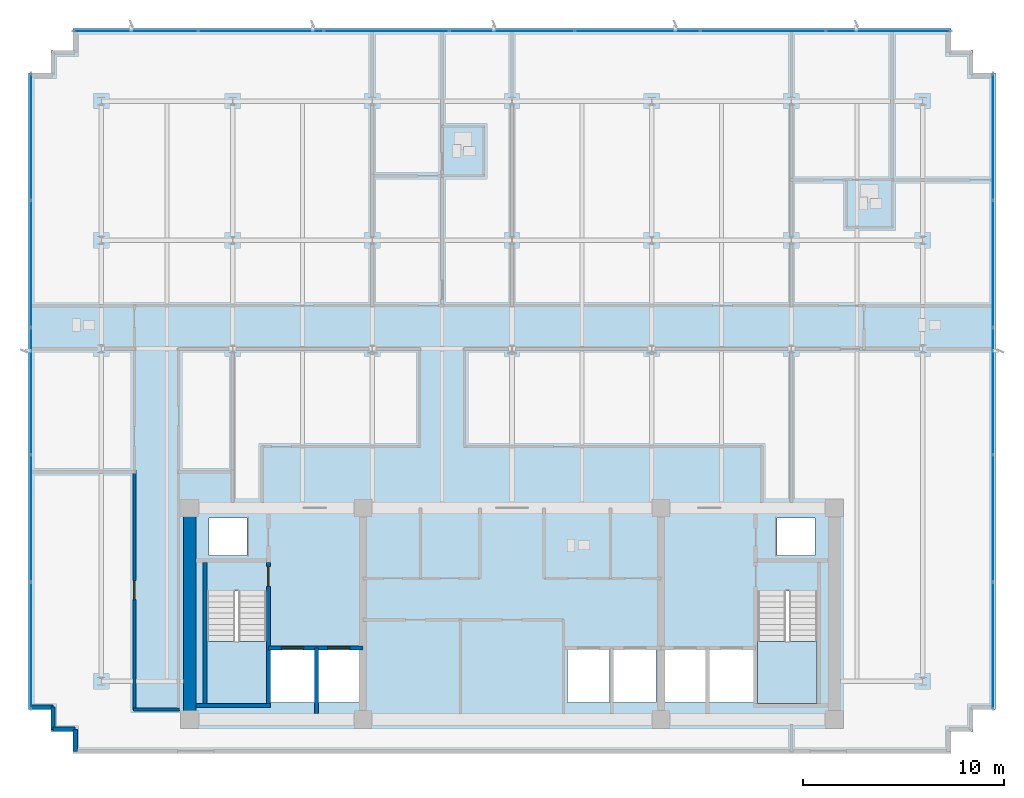
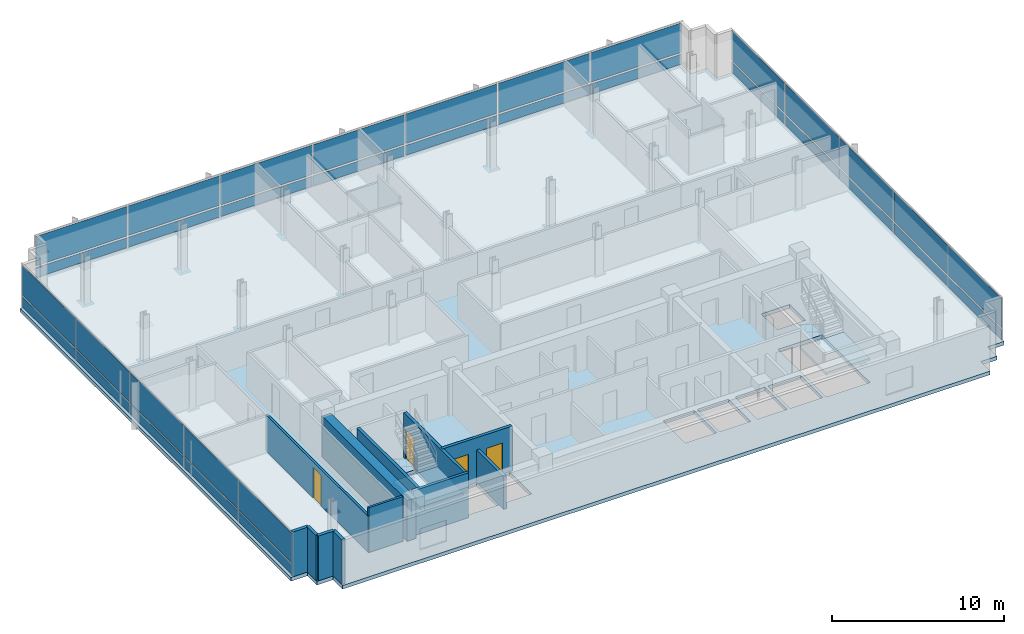
# One storey, part 9 of 18: 34 plates, 12 walls, 4 doors, 3 slabs, 4 openings, 5 elements without a shape of their own.
"""IFC4 building model written with IfcOpenShell, lengths in metres."""

from ifc_helpers import new_model, si_unit, direction, frame, frame_2d, origin, origin_2d, place, context, subcontext, project, spatial, polyline, rectangle, outline, extrude, material, layer, layer_set, type_object, element, fill, aggregate, save


model = new_model("IFC4")

# Units and contexts
model_context = context("Model", 3, precision=1e-05, world=origin(), true_north=direction((0.0, 1.0)))
body_context = subcontext(model_context, "Body", "Model", "MODEL_VIEW")
ifc_project = project(units=[si_unit("LENGTHUNIT", "METRE"), si_unit("AREAUNIT", "SQUARE_METRE"), si_unit("VOLUMEUNIT", "CUBIC_METRE"), si_unit("PLANEANGLEUNIT", "RADIAN"), si_unit("MASSUNIT", "GRAM", prefix="KILO")], contexts=[model_context])

# Site, building, storey
site_placement = place(None, origin())
site = spatial("IfcSite", under=ifc_project, at=site_placement, CompositionType="ELEMENT")
building_placement = place(site_placement, origin())
building = spatial("IfcBuilding", under=site, at=building_placement, Name="Solmavex Isthmus Hotel", CompositionType="ELEMENT")
storey_placement = place(building_placement, frame((0.0, 0.0, 283.35009765625)))
storey = spatial("IfcBuildingStorey", under=building, at=storey_placement, Name="L77", CompositionType="ELEMENT", Elevation=283.35009765625)

# Curtain wall, plates
ifc_material_1 = material(Name="Aluminium alloy 6063-T6", Category="aluminium")
curtain_wall_type = type_object("IfcCurtainWallType", Name="CW-SYS-05", PredefinedType="NOTDEFINED", material=ifc_material_1)
curtain_wall_1_placement = place(storey_placement, origin())
curtain_wall_1 = element("IfcCurtainWall", 1, at=curtain_wall_1_placement, inside=storey, type_object=curtain_wall_type, Name="Stick Curtain Wall CWL-L77-N1", PredefinedType="NOTDEFINED")
ifc_material_2 = material(Name="Clear low-E laminated glass", Category="glass")
ifc_layer_1 = layer(ifc_material_2, 0.0380859375)
ifc_layer_set_1 = layer_set([ifc_layer_1], Name="Clear low-E laminated glass")
plate_type = type_object("IfcPlateType", Name="CW-SYS-05-PNL", PredefinedType="CURTAIN_PANEL", material=ifc_layer_set_1)
plate_1_placement = place(storey_placement, frame((-18.66943359375, 21.179931640625, 0.125), z_axis=(0.0, 0.0, 1.0), x_axis=(1.0, 0.0, 0.0)))
plate_1 = element("IfcPlate", 2, at=plate_1_placement, type_object=plate_type, Name="CW-05 panel 1.1", PredefinedType="CURTAIN_PANEL", context=body_context, shape_type="SweptSolid", body=[
    extrude(rectangle(XDim=6.131103515625, YDim=0.0380859375, at=origin_2d()), origin(), (0.0, 0.0, 1.0), 0.71240234375),
])
plate_2_placement = place(storey_placement, frame((-18.66943359375, 21.179931640625, 0.96240234375), z_axis=(0.0, 0.0, 1.0), x_axis=(1.0, 0.0, 0.0)))
plate_2 = element("IfcPlate", 3, at=plate_2_placement, type_object=plate_type, Name="CW-05 panel 1.2", PredefinedType="CURTAIN_PANEL", context=body_context, shape_type="SweptSolid", body=[
    extrude(rectangle(XDim=6.131103515625, YDim=0.0380859375, at=origin_2d()), origin(), (0.0, 0.0, 1.0), 2.1025390625),
])
plate_3_placement = place(storey_placement, frame((-12.45703125, 21.179931640625, 0.125), z_axis=(0.0, 0.0, 1.0), x_axis=(1.0, 0.0, 0.0)))
plate_3 = element("IfcPlate", 4, at=plate_3_placement, type_object=plate_type, Name="CW-05 panel 2.1", PredefinedType="CURTAIN_PANEL", context=body_context, shape_type="SweptSolid", body=[
    extrude(rectangle(XDim=6.16357421875, YDim=0.0380859375, at=origin_2d()), origin(), (0.0, 0.0, 1.0), 0.71240234375),
])
plate_4_placement = place(storey_placement, frame((-12.45703125, 21.179931640625, 0.96240234375), z_axis=(0.0, 0.0, 1.0), x_axis=(1.0, 0.0, 0.0)))
plate_4 = element("IfcPlate", 5, at=plate_4_placement, type_object=plate_type, Name="CW-05 panel 2.2", PredefinedType="CURTAIN_PANEL", context=body_context, shape_type="SweptSolid", body=[
    extrude(rectangle(XDim=6.16357421875, YDim=0.0380859375, at=origin_2d()), origin(), (0.0, 0.0, 1.0), 2.1025390625),
])
plate_5_placement = place(storey_placement, frame((-6.228515625, 21.179931640625, 0.125), z_axis=(0.0, 0.0, 1.0), x_axis=(1.0, 0.0, 0.0)))
plate_5 = element("IfcPlate", 6, at=plate_5_placement, type_object=plate_type, Name="CW-05 panel 3.1", PredefinedType="CURTAIN_PANEL", context=body_context, shape_type="SweptSolid", body=[
    extrude(rectangle(XDim=6.16357421875, YDim=0.0380859375, at=origin_2d()), origin(), (0.0, 0.0, 1.0), 0.71240234375),
])
plate_6_placement = place(storey_placement, frame((-6.228515625, 21.179931640625, 0.96240234375), z_axis=(0.0, 0.0, 1.0), x_axis=(1.0, 0.0, 0.0)))
plate_6 = element("IfcPlate", 7, at=plate_6_placement, type_object=plate_type, Name="CW-05 panel 3.2", PredefinedType="CURTAIN_PANEL", context=body_context, shape_type="SweptSolid", body=[
    extrude(rectangle(XDim=6.16357421875, YDim=0.0380859375, at=origin_2d()), origin(), (0.0, 0.0, 1.0), 2.1025390625),
])
plate_7_placement = place(storey_placement, frame((0.0, 21.179931640625, 0.125), z_axis=(0.0, 0.0, 1.0), x_axis=(1.0, 0.0, 0.0)))
plate_7 = element("IfcPlate", 8, at=plate_7_placement, type_object=plate_type, Name="CW-05 panel 4.1", PredefinedType="CURTAIN_PANEL", context=body_context, shape_type="SweptSolid", body=[
    extrude(rectangle(XDim=6.16357421875, YDim=0.0380859375, at=origin_2d()), origin(), (0.0, 0.0, 1.0), 0.71240234375),
])
plate_8_placement = place(storey_placement, frame((0.0, 21.179931640625, 0.96240234375), z_axis=(0.0, 0.0, 1.0), x_axis=(1.0, 0.0, 0.0)))
plate_8 = element("IfcPlate", 9, at=plate_8_placement, type_object=plate_type, Name="CW-05 panel 4.2", PredefinedType="CURTAIN_PANEL", context=body_context, shape_type="SweptSolid", body=[
    extrude(rectangle(XDim=6.16357421875, YDim=0.0380859375, at=origin_2d()), origin(), (0.0, 0.0, 1.0), 2.1025390625),
])
plate_9_placement = place(storey_placement, frame((6.228515625, 21.179931640625, 0.125), z_axis=(0.0, 0.0, 1.0), x_axis=(1.0, 0.0, 0.0)))
plate_9 = element("IfcPlate", 10, at=plate_9_placement, type_object=plate_type, Name="CW-05 panel 5.1", PredefinedType="CURTAIN_PANEL", context=body_context, shape_type="SweptSolid", body=[
    extrude(rectangle(XDim=6.16357421875, YDim=0.0380859375, at=origin_2d()), origin(), (0.0, 0.0, 1.0), 0.71240234375),
])
plate_10_placement = place(storey_placement, frame((6.228515625, 21.179931640625, 0.96240234375), z_axis=(0.0, 0.0, 1.0), x_axis=(1.0, 0.0, 0.0)))
plate_10 = element("IfcPlate", 11, at=plate_10_placement, type_object=plate_type, Name="CW-05 panel 5.2", PredefinedType="CURTAIN_PANEL", context=body_context, shape_type="SweptSolid", body=[
    extrude(rectangle(XDim=6.16357421875, YDim=0.0380859375, at=origin_2d()), origin(), (0.0, 0.0, 1.0), 2.1025390625),
])
plate_11_placement = place(storey_placement, frame((12.45703125, 21.179931640625, 0.125), z_axis=(0.0, 0.0, 1.0), x_axis=(1.0, 0.0, 0.0)))
plate_11 = element("IfcPlate", 12, at=plate_11_placement, type_object=plate_type, Name="CW-05 panel 6.1", PredefinedType="CURTAIN_PANEL", context=body_context, shape_type="SweptSolid", body=[
    extrude(rectangle(XDim=6.16357421875, YDim=0.0380859375, at=origin_2d()), origin(), (0.0, 0.0, 1.0), 0.71240234375),
])
plate_12_placement = place(storey_placement, frame((12.45703125, 21.179931640625, 0.96240234375), z_axis=(0.0, 0.0, 1.0), x_axis=(1.0, 0.0, 0.0)))
plate_12 = element("IfcPlate", 13, at=plate_12_placement, type_object=plate_type, Name="CW-05 panel 6.2", PredefinedType="CURTAIN_PANEL", context=body_context, shape_type="SweptSolid", body=[
    extrude(rectangle(XDim=6.16357421875, YDim=0.0380859375, at=origin_2d()), origin(), (0.0, 0.0, 1.0), 2.1025390625),
])
plate_13_placement = place(storey_placement, frame((18.66943359375, 21.179931640625, 0.125), z_axis=(0.0, 0.0, 1.0), x_axis=(1.0, 0.0, 0.0)))
plate_13 = element("IfcPlate", 14, at=plate_13_placement, type_object=plate_type, Name="CW-05 panel 7.1", PredefinedType="CURTAIN_PANEL", context=body_context, shape_type="SweptSolid", body=[
    extrude(rectangle(XDim=6.131103515625, YDim=0.0380859375, at=origin_2d()), origin(), (0.0, 0.0, 1.0), 0.71240234375),
])
plate_14_placement = place(storey_placement, frame((18.66943359375, 21.179931640625, 0.96240234375), z_axis=(0.0, 0.0, 1.0), x_axis=(1.0, 0.0, 0.0)))
plate_14 = element("IfcPlate", 15, at=plate_14_placement, type_object=plate_type, Name="CW-05 panel 7.2", PredefinedType="CURTAIN_PANEL", context=body_context, shape_type="SweptSolid", body=[
    extrude(rectangle(XDim=6.131103515625, YDim=0.0380859375, at=origin_2d()), origin(), (0.0, 0.0, 1.0), 2.1025390625),
])
aggregate(curtain_wall_1, [plate_1, plate_2, plate_3, plate_4, plate_5, plate_6, plate_7, plate_8, plate_9, plate_10, plate_11, plate_12, plate_13, plate_14])

curtain_wall_2_placement = place(storey_placement, origin())
curtain_wall_2 = element("IfcCurtainWall", 16, at=curtain_wall_2_placement, inside=storey, type_object=curtain_wall_type, Name="Stick Curtain Wall CWL-L77-W1", PredefinedType="NOTDEFINED")
plate_15_placement = place(storey_placement, frame((-23.8798828125, -9.32373046875, 0.125), z_axis=(0.0, 0.0, 1.0), x_axis=(0.0, 1.0, 0.0)))
plate_15 = element("IfcPlate", 17, at=plate_15_placement, type_object=plate_type, Name="CW-05 panel 1.1", PredefinedType="CURTAIN_PANEL", context=body_context, shape_type="SweptSolid", body=[
    extrude(rectangle(XDim=6.222412109375, YDim=0.0380859375, at=origin_2d()), origin(), (0.0, 0.0, 1.0), 0.71240234375),
])
plate_16_placement = place(storey_placement, frame((-23.8798828125, -9.32373046875, 0.96240234375), z_axis=(0.0, 0.0, 1.0), x_axis=(0.0, 1.0, 0.0)))
plate_16 = element("IfcPlate", 18, at=plate_16_placement, type_object=plate_type, Name="CW-05 panel 1.2", PredefinedType="CURTAIN_PANEL", context=body_context, shape_type="SweptSolid", body=[
    extrude(rectangle(XDim=6.222412109375, YDim=0.0380859375, at=origin_2d()), origin(), (0.0, 0.0, 1.0), 2.1025390625),
])
plate_17_placement = place(storey_placement, frame((-23.8798828125, -3.02001953125, 0.125), z_axis=(0.0, 0.0, 1.0), x_axis=(0.0, 1.0, 0.0)))
plate_17 = element("IfcPlate", 19, at=plate_17_placement, type_object=plate_type, Name="CW-05 panel 2.1", PredefinedType="CURTAIN_PANEL", context=body_context, shape_type="SweptSolid", body=[
    extrude(rectangle(XDim=6.2548828125, YDim=0.0380859375, at=origin_2d()), origin(), (0.0, 0.0, 1.0), 0.71240234375),
])
plate_18_placement = place(storey_placement, frame((-23.8798828125, -3.02001953125, 0.96240234375), z_axis=(0.0, 0.0, 1.0), x_axis=(0.0, 1.0, 0.0)))
plate_18 = element("IfcPlate", 20, at=plate_18_placement, type_object=plate_type, Name="CW-05 panel 2.2", PredefinedType="CURTAIN_PANEL", context=body_context, shape_type="SweptSolid", body=[
    extrude(rectangle(XDim=6.2548828125, YDim=0.0380859375, at=origin_2d()), origin(), (0.0, 0.0, 1.0), 2.1025390625),
])
plate_19_placement = place(storey_placement, frame((-23.8798828125, 3.300048828125, 0.125), z_axis=(0.0, 0.0, 1.0), x_axis=(0.0, 1.0, 0.0)))
plate_19 = element("IfcPlate", 21, at=plate_19_placement, type_object=plate_type, Name="CW-05 panel 3.1", PredefinedType="CURTAIN_PANEL", context=body_context, shape_type="SweptSolid", body=[
    extrude(rectangle(XDim=6.2548828125, YDim=0.0380859375, at=origin_2d()), origin(), (0.0, 0.0, 1.0), 0.71240234375),
])
plate_20_placement = place(storey_placement, frame((-23.8798828125, 3.300048828125, 0.96240234375), z_axis=(0.0, 0.0, 1.0), x_axis=(0.0, 1.0, 0.0)))
plate_20 = element("IfcPlate", 22, at=plate_20_placement, type_object=plate_type, Name="CW-05 panel 3.2", PredefinedType="CURTAIN_PANEL", context=body_context, shape_type="SweptSolid", body=[
    extrude(rectangle(XDim=6.2548828125, YDim=0.0380859375, at=origin_2d()), origin(), (0.0, 0.0, 1.0), 2.1025390625),
])
plate_21_placement = place(storey_placement, frame((-23.8798828125, 9.6201171875, 0.125), z_axis=(0.0, 0.0, 1.0), x_axis=(0.0, 1.0, 0.0)))
plate_21 = element("IfcPlate", 23, at=plate_21_placement, type_object=plate_type, Name="CW-05 panel 4.1", PredefinedType="CURTAIN_PANEL", context=body_context, shape_type="SweptSolid", body=[
    extrude(rectangle(XDim=6.2548828125, YDim=0.0380859375, at=origin_2d()), origin(), (0.0, 0.0, 1.0), 0.71240234375),
])
plate_22_placement = place(storey_placement, frame((-23.8798828125, 9.6201171875, 0.96240234375), z_axis=(0.0, 0.0, 1.0), x_axis=(0.0, 1.0, 0.0)))
plate_22 = element("IfcPlate", 24, at=plate_22_placement, type_object=plate_type, Name="CW-05 panel 4.2", PredefinedType="CURTAIN_PANEL", context=body_context, shape_type="SweptSolid", body=[
    extrude(rectangle(XDim=6.2548828125, YDim=0.0380859375, at=origin_2d()), origin(), (0.0, 0.0, 1.0), 2.1025390625),
])
plate_23_placement = place(storey_placement, frame((-23.8798828125, 15.923828125, 0.125), z_axis=(0.0, 0.0, 1.0), x_axis=(0.0, 1.0, 0.0)))
plate_23 = element("IfcPlate", 25, at=plate_23_placement, type_object=plate_type, Name="CW-05 panel 5.1", PredefinedType="CURTAIN_PANEL", context=body_context, shape_type="SweptSolid", body=[
    extrude(rectangle(XDim=6.222412109375, YDim=0.0380859375, at=origin_2d()), origin(), (0.0, 0.0, 1.0), 0.71240234375),
])
plate_24_placement = place(storey_placement, frame((-23.8798828125, 15.923828125, 0.96240234375), z_axis=(0.0, 0.0, 1.0), x_axis=(0.0, 1.0, 0.0)))
plate_24 = element("IfcPlate", 26, at=plate_24_placement, type_object=plate_type, Name="CW-05 panel 5.2", PredefinedType="CURTAIN_PANEL", context=body_context, shape_type="SweptSolid", body=[
    extrude(rectangle(XDim=6.222412109375, YDim=0.0380859375, at=origin_2d()), origin(), (0.0, 0.0, 1.0), 2.1025390625),
])
aggregate(curtain_wall_2, [plate_15, plate_16, plate_17, plate_18, plate_19, plate_20, plate_21, plate_22, plate_23, plate_24])

curtain_wall_3_placement = place(storey_placement, origin())
curtain_wall_3 = element("IfcCurtainWall", 27, at=curtain_wall_3_placement, inside=storey, type_object=curtain_wall_type, Name="Stick Curtain Wall CWL-L77-E1", PredefinedType="NOTDEFINED")
plate_25_placement = place(storey_placement, frame((23.8798828125, -9.32373046875, 0.125), z_axis=(0.0, 0.0, 1.0), x_axis=(0.0, 1.0, 0.0)))
plate_25 = element("IfcPlate", 28, at=plate_25_placement, type_object=plate_type, Name="CW-05 panel 1.1", PredefinedType="CURTAIN_PANEL", context=body_context, shape_type="SweptSolid", body=[
    extrude(rectangle(XDim=6.222412109375, YDim=0.0380859375, at=origin_2d()), origin(), (0.0, 0.0, 1.0), 0.71240234375),
])
plate_26_placement = place(storey_placement, frame((23.8798828125, -9.32373046875, 0.96240234375), z_axis=(0.0, 0.0, 1.0), x_axis=(0.0, 1.0, 0.0)))
plate_26 = element("IfcPlate", 29, at=plate_26_placement, type_object=plate_type, Name="CW-05 panel 1.2", PredefinedType="CURTAIN_PANEL", context=body_context, shape_type="SweptSolid", body=[
    extrude(rectangle(XDim=6.222412109375, YDim=0.0380859375, at=origin_2d()), origin(), (0.0, 0.0, 1.0), 2.1025390625),
])
plate_27_placement = place(storey_placement, frame((23.8798828125, -3.02001953125, 0.125), z_axis=(0.0, 0.0, 1.0), x_axis=(0.0, 1.0, 0.0)))
plate_27 = element("IfcPlate", 30, at=plate_27_placement, type_object=plate_type, Name="CW-05 panel 2.1", PredefinedType="CURTAIN_PANEL", context=body_context, shape_type="SweptSolid", body=[
    extrude(rectangle(XDim=6.2548828125, YDim=0.0380859375, at=origin_2d()), origin(), (0.0, 0.0, 1.0), 0.71240234375),
])
plate_28_placement = place(storey_placement, frame((23.8798828125, -3.02001953125, 0.96240234375), z_axis=(0.0, 0.0, 1.0), x_axis=(0.0, 1.0, 0.0)))
plate_28 = element("IfcPlate", 31, at=plate_28_placement, type_object=plate_type, Name="CW-05 panel 2.2", PredefinedType="CURTAIN_PANEL", context=body_context, shape_type="SweptSolid", body=[
    extrude(rectangle(XDim=6.2548828125, YDim=0.0380859375, at=origin_2d()), origin(), (0.0, 0.0, 1.0), 2.1025390625),
])
plate_29_placement = place(storey_placement, frame((23.8798828125, 3.300048828125, 0.125), z_axis=(0.0, 0.0, 1.0), x_axis=(0.0, 1.0, 0.0)))
plate_29 = element("IfcPlate", 32, at=plate_29_placement, type_object=plate_type, Name="CW-05 panel 3.1", PredefinedType="CURTAIN_PANEL", context=body_context, shape_type="SweptSolid", body=[
    extrude(rectangle(XDim=6.2548828125, YDim=0.0380859375, at=origin_2d()), origin(), (0.0, 0.0, 1.0), 0.71240234375),
])
plate_30_placement = place(storey_placement, frame((23.8798828125, 3.300048828125, 0.96240234375), z_axis=(0.0, 0.0, 1.0), x_axis=(0.0, 1.0, 0.0)))
plate_30 = element("IfcPlate", 33, at=plate_30_placement, type_object=plate_type, Name="CW-05 panel 3.2", PredefinedType="CURTAIN_PANEL", context=body_context, shape_type="SweptSolid", body=[
    extrude(rectangle(XDim=6.2548828125, YDim=0.0380859375, at=origin_2d()), origin(), (0.0, 0.0, 1.0), 2.1025390625),
])
plate_31_placement = place(storey_placement, frame((23.8798828125, 9.6201171875, 0.125), z_axis=(0.0, 0.0, 1.0), x_axis=(0.0, 1.0, 0.0)))
plate_31 = element("IfcPlate", 34, at=plate_31_placement, type_object=plate_type, Name="CW-05 panel 4.1", PredefinedType="CURTAIN_PANEL", context=body_context, shape_type="SweptSolid", body=[
    extrude(rectangle(XDim=6.2548828125, YDim=0.0380859375, at=origin_2d()), origin(), (0.0, 0.0, 1.0), 0.71240234375),
])
plate_32_placement = place(storey_placement, frame((23.8798828125, 9.6201171875, 0.96240234375), z_axis=(0.0, 0.0, 1.0), x_axis=(0.0, 1.0, 0.0)))
plate_32 = element("IfcPlate", 35, at=plate_32_placement, type_object=plate_type, Name="CW-05 panel 4.2", PredefinedType="CURTAIN_PANEL", context=body_context, shape_type="SweptSolid", body=[
    extrude(rectangle(XDim=6.2548828125, YDim=0.0380859375, at=origin_2d()), origin(), (0.0, 0.0, 1.0), 2.1025390625),
])
plate_33_placement = place(storey_placement, frame((23.8798828125, 15.923828125, 0.125), z_axis=(0.0, 0.0, 1.0), x_axis=(0.0, 1.0, 0.0)))
plate_33 = element("IfcPlate", 36, at=plate_33_placement, type_object=plate_type, Name="CW-05 panel 5.1", PredefinedType="CURTAIN_PANEL", context=body_context, shape_type="SweptSolid", body=[
    extrude(rectangle(XDim=6.222412109375, YDim=0.0380859375, at=origin_2d()), origin(), (0.0, 0.0, 1.0), 0.71240234375),
])
plate_34_placement = place(storey_placement, frame((23.8798828125, 15.923828125, 0.96240234375), z_axis=(0.0, 0.0, 1.0), x_axis=(0.0, 1.0, 0.0)))
plate_34 = element("IfcPlate", 37, at=plate_34_placement, type_object=plate_type, Name="CW-05 panel 5.2", PredefinedType="CURTAIN_PANEL", context=body_context, shape_type="SweptSolid", body=[
    extrude(rectangle(XDim=6.222412109375, YDim=0.0380859375, at=origin_2d()), origin(), (0.0, 0.0, 1.0), 2.1025390625),
])
aggregate(curtain_wall_3, [plate_25, plate_26, plate_27, plate_28, plate_29, plate_30, plate_31, plate_32, plate_33, plate_34])

# Slab
ifc_material_3 = material(Name="Concrete C40/50", Category="concrete")
ifc_layer_2 = layer(ifc_material_3, 0.260009765625)
ifc_layer_set_2 = layer_set([ifc_layer_2], Name="Concrete C40/50")
slab_type_1 = type_object("IfcSlabType", Name="SLAB-TYP-260", PredefinedType="FLOOR", material=ifc_layer_set_2)
slab_1_placement = place(storey_placement, frame((0.0, 0.0, -0.260009765625)))
element("IfcSlab", 38, at=slab_1_placement, inside=storey, type_object=slab_type_1, Name="Tower Structural Floor Slab L77", PredefinedType="FLOOR", context=body_context, shape_type="SweptSolid", body=[
    extrude(outline(polyline([(-20.699951171875, -14.699951171875), (20.699951171875, -14.699951171875), (21.800048828125, -14.699951171875), (21.800048828125, -13.60009765625), (22.89990234375, -13.60009765625), (22.89990234375, -12.5), (24.0, -12.5), (24.0, -11.39990234375), (24.0, 18.0), (24.0, 19.10009765625), (22.89990234375, 19.10009765625), (22.89990234375, 20.199951171875), (21.800048828125, 20.199951171875), (21.800048828125, 21.300048828125), (20.699951171875, 21.300048828125), (-20.699951171875, 21.300048828125), (-21.800048828125, 21.300048828125), (-21.800048828125, 20.199951171875), (-22.89990234375, 20.199951171875), (-22.89990234375, 19.10009765625), (-24.0, 19.10009765625), (-24.0, 18.0), (-24.0, -11.39990234375), (-24.0, -12.5), (-22.89990234375, -12.5), (-22.89990234375, -13.60009765625), (-21.800048828125, -13.60009765625), (-21.800048828125, -14.699951171875), (-20.699951171875, -14.699951171875)]), holes=[polyline([(-15.14990234375, -6.617919921875), (-15.14990234375, -12.199951171875), (-12.199951171875, -12.199951171875), (-12.199951171875, -6.617919921875), (-15.14990234375, -6.617919921875)]), polyline([(12.199951171875, -6.617919921875), (12.199951171875, -12.199951171875), (15.14990234375, -12.199951171875), (15.14990234375, -6.617919921875), (12.199951171875, -6.617919921875)]), polyline([(-12.0, -12.14990234375), (-9.800048828125, -12.14990234375), (-9.800048828125, -9.550048828125), (-12.0, -9.550048828125), (-12.0, -12.14990234375)]), polyline([(9.800048828125, -12.14990234375), (12.0, -12.14990234375), (12.0, -9.550048828125), (9.800048828125, -9.550048828125), (9.800048828125, -12.14990234375)]), polyline([(-9.60009765625, -12.14990234375), (-7.60009765625, -12.14990234375), (-7.60009765625, -9.550048828125), (-9.60009765625, -9.550048828125), (-9.60009765625, -12.14990234375)]), polyline([(7.60009765625, -12.14990234375), (9.60009765625, -12.14990234375), (9.60009765625, -9.550048828125), (7.60009765625, -9.550048828125), (7.60009765625, -12.14990234375)]), polyline([(2.75, -12.14990234375), (4.85009765625, -12.14990234375), (4.85009765625, -9.550048828125), (2.75, -9.550048828125), (2.75, -12.14990234375)]), polyline([(5.050048828125, -12.14990234375), (7.14990234375, -12.14990234375), (7.14990234375, -9.550048828125), (5.050048828125, -9.550048828125), (5.050048828125, -12.14990234375)]), polyline([(-15.050048828125, -4.85009765625), (-13.14990234375, -4.85009765625), (-13.14990234375, -3.0), (-15.050048828125, -3.0), (-15.050048828125, -4.85009765625)]), polyline([(13.14990234375, -4.85009765625), (15.050048828125, -4.85009765625), (15.050048828125, -3.0), (13.14990234375, -3.0), (13.14990234375, -4.85009765625)])]), origin(), (0.0, 0.0, 1.0), 0.260009765625),
])

# Stair, slab
stair_type_1 = type_object("IfcStairType", Name="STR-ST-1", PredefinedType="HALF_TURN_STAIR", material=ifc_material_3)
stair_1_placement = place(storey_placement, origin())
stair_1 = element("IfcStair", 39, at=stair_1_placement, inside=storey, type_object=stair_type_1, Name="L77 Protected Exit Stair ST-1", PredefinedType="HALF_TURN_STAIR")
ifc_layer_3 = layer(ifc_material_3, 0.219970703125)
ifc_layer_set_3 = layer_set([ifc_layer_3], Name="Concrete C40/50")
slab_type_2 = type_object("IfcSlabType", Name="SLD-ST-1", PredefinedType="LANDING", material=ifc_layer_set_3)
slab_2_placement = place(storey_placement, frame((0.0, 0.0, 1.52490234375)))
slab_2 = element("IfcSlab", 40, at=slab_2_placement, type_object=slab_type_2, Name="ST-1 landing 1", PredefinedType="LANDING", context=body_context, shape_type="SweptSolid", body=[
    extrude(outline(polyline([(-15.14990234375, -9.1201171875), (-15.14990234375, -12.199951171875), (-12.199951171875, -12.199951171875), (-12.199951171875, -9.1201171875), (-15.14990234375, -9.1201171875)])), origin(), (0.0, 0.0, 1.0), 0.199951171875),
])
aggregate(stair_1, [slab_2])

stair_type_2 = type_object("IfcStairType", Name="STR-ST-2", PredefinedType="HALF_TURN_STAIR", material=ifc_material_3)
stair_2_placement = place(storey_placement, origin())
stair_2 = element("IfcStair", 41, at=stair_2_placement, inside=storey, type_object=stair_type_2, Name="L77 Protected Exit Stair ST-2", PredefinedType="HALF_TURN_STAIR")
ifc_layer_4 = layer(ifc_material_3, 0.219970703125)
ifc_layer_set_4 = layer_set([ifc_layer_4], Name="Concrete C40/50")
slab_type_3 = type_object("IfcSlabType", Name="SLD-ST-2", PredefinedType="LANDING", material=ifc_layer_set_4)
slab_3_placement = place(storey_placement, frame((0.0, 0.0, 1.52490234375)))
slab_3 = element("IfcSlab", 42, at=slab_3_placement, type_object=slab_type_3, Name="ST-2 landing 1", PredefinedType="LANDING", context=body_context, shape_type="SweptSolid", body=[
    extrude(outline(polyline([(12.199951171875, -9.1201171875), (12.199951171875, -12.199951171875), (15.14990234375, -12.199951171875), (15.14990234375, -9.1201171875), (12.199951171875, -9.1201171875)])), origin(), (0.0, 0.0, 1.0), 0.199951171875),
])
aggregate(stair_2, [slab_3])

# Walls
ifc_material_4 = material(Name="Precast Concrete C40/50", Category="concrete")
ifc_layer_5 = layer(ifc_material_4, 0.25)
ifc_layer_set_5 = layer_set([ifc_layer_5], Name="Precast Concrete C40/50")
wall_type_1 = type_object("IfcWallType", Name="EW-TWR-250", PredefinedType="STANDARD", material=ifc_layer_set_5)
for number, where, z_axis, x_axis, name in (
    (43, (-21.68994140625, -14.590087890625, 0.0), (0.0, 0.0, 1.0), (0.0, 1.0, 0.0), "Serrated Corner Facade Panel L77-01"),
    (44, (-21.68994140625, -13.489990234375, 0.0), (0.0, 0.0, 1.0), (-1.0, 0.0, 0.0), "Serrated Corner Facade Panel L77-02"),
    (45, (-22.7900390625, -13.489990234375, 0.0), (0.0, 0.0, 1.0), (0.0, 1.0, 0.0), "Serrated Corner Facade Panel L77-03"),
):
    element("IfcWall", number, at=place(storey_placement, frame(where, z_axis=z_axis, x_axis=x_axis)), inside=storey, type_object=wall_type_1, Name=name, PredefinedType="STANDARD", context=body_context, shape_type="SweptSolid", body=[
        extrude(rectangle(XDim=1.10009765625, YDim=0.219970703125, at=frame_2d((0.550048828125, 0.0))), origin(), (0.0, 0.0, 1.0), 3.18994140625),
    ])
wall_1_placement = place(storey_placement, frame((-22.7900390625, -12.389892578125, 0.0), z_axis=(0.0, 0.0, 1.0), x_axis=(-1.0, 0.0, 0.0)))
element("IfcWall", 46, at=wall_1_placement, inside=storey, type_object=wall_type_1, Name="Serrated Corner Facade Panel L77-04", PredefinedType="STANDARD", context=body_context, shape_type="SweptSolid", body=[
    extrude(rectangle(XDim=1.099853515625, YDim=0.219970703125, at=frame_2d((0.5498046875, 0.0))), origin(), (0.0, 0.0, 1.0), 3.18994140625),
])
ifc_material_5 = material(Name="Gypsum plasterboard lining", Category="gypsum")
ifc_layer_6 = layer(ifc_material_5, 0.14990234375)
ifc_layer_set_6 = layer_set([ifc_layer_6], Name="Gypsum plasterboard lining")
wall_type_2 = type_object("IfcWallType", Name="IW-CORR-150", PredefinedType="PARTITIONING", material=ifc_layer_set_6)
wall_2_placement = place(storey_placement, frame((-16.510009765625, -12.5, 0.0), z_axis=(0.0, 0.0, 1.0), x_axis=(-1.0, 0.0, 0.0)))
element("IfcWall", 47, at=wall_2_placement, inside=storey, type_object=wall_type_2, Name="Interior Partition Wall W-L77-P026", PredefinedType="PARTITIONING", context=body_context, shape_type="SweptSolid", body=[
    extrude(rectangle(XDim=2.280029296875, YDim=0.14990234375, at=frame_2d((1.14013671875, 0.0))), origin(), (0.0, 0.0, 1.0), 3.18994140625),
])

# Wall, opening, door
wall_3_placement = place(storey_placement, frame((-18.75, -12.5400390625, 0.0), z_axis=(0.0, 0.0, 1.0), x_axis=(0.0, 1.0, 0.0)))
wall_3 = element("IfcWall", 48, at=wall_3_placement, inside=storey, type_object=wall_type_2, Name="Interior Partition Wall W-L77-P027", PredefinedType="PARTITIONING", context=body_context, shape_type="SweptSolid", body=[
    extrude(rectangle(XDim=11.922119140625, YDim=0.14990234375, at=frame_2d((5.9609375, 0.0))), origin(), (0.0, 0.0, 1.0), 2.557373046875),
])
opening_1_placement = place(wall_3_placement, frame((5.486083984375, 0.0, 0.0)))
opening_1 = element("IfcOpeningElement", 49, at=opening_1_placement, cuts=wall_3, Name="Opening ID-C095", PredefinedType="OPENING", context=body_context, shape_type="SweptSolid", body=[
    extrude(rectangle(XDim=0.949951171875, YDim=2.14990234375, at=frame_2d((0.47509765625, 1.074951171875))), frame((0.0, 0.0849609375, 0.0), z_axis=(0.0, -1.0, 0.0), x_axis=(1.0, 0.0, 0.0)), (0.0, 0.0, 1.0), 0.169921875),
])
ifc_material_6 = material(Name="Hardwood timber", Category="wood")
door_type_1 = type_object("IfcDoorType", Name="IDR-FD60-0950", OperationType="NOTDEFINED", PredefinedType="DOOR", material=ifc_material_6)
door_1_placement = place(opening_1_placement, origin())
door_1 = element("IfcDoor", 50, at=door_1_placement, inside=storey, type_object=door_type_1, Name="Executive Hospitality Lounge Door L77-17", OperationType="SINGLE_SWING_LEFT", OverallHeight=2.14990234375, OverallWidth=0.949951171875, PredefinedType="DOOR", context=body_context, shape_type="SweptSolid", body=[
    extrude(rectangle(XDim=0.949951171875, YDim=2.14990234375, at=frame_2d((0.47509765625, 1.074951171875))), frame((0.0, 0.02490234375, 0.0), z_axis=(0.0, -1.0, 0.0), x_axis=(1.0, 0.0, 0.0)), (0.0, 0.0, 1.0), 0.050048828125),
])
fill(opening_1, door_1)

# Wall, openings, doors
ifc_layer_7 = layer(ifc_material_3, 0.199951171875)
ifc_layer_set_7 = layer_set([ifc_layer_7], Name="Concrete C40/50")
wall_type_3 = type_object("IfcWallType", Name="IW-SHAFT-200", PredefinedType="PARTITIONING", material=ifc_layer_set_7)
wall_4_placement = place(storey_placement, frame((-12.10009765625, -9.449951171875, 0.0), z_axis=(0.0, 0.0, 1.0), x_axis=(1.0, 0.0, 0.0)))
wall_4 = element("IfcWall", 51, at=wall_4_placement, inside=storey, type_object=wall_type_3, Name="Interior Partition Wall W-L77-FFLW-S", PredefinedType="PARTITIONING", context=body_context, shape_type="SweptSolid", body=[
    extrude(rectangle(XDim=4.7001953125, YDim=0.199951171875, at=frame_2d((2.35009765625, 0.0))), origin(), (0.0, 0.0, 1.0), 3.18994140625),
])
opening_2_placement = place(wall_4_placement, frame((0.64990234375, 0.0, 0.0)))
opening_2 = element("IfcOpeningElement", 52, at=opening_2_placement, cuts=wall_4, Name="Opening LD-FF", PredefinedType="OPENING", context=body_context, shape_type="SweptSolid", body=[
    extrude(rectangle(XDim=1.10009765625, YDim=2.199951171875, at=frame_2d((0.550048828125, 1.10009765625))), frame((0.0, 0.10986328125, 0.0), z_axis=(0.0, -1.0, 0.0), x_axis=(1.0, 0.0, 0.0)), (0.0, 0.0, 1.0), 0.219970703125),
])
opening_3_placement = place(wall_4_placement, frame((2.949951171875, 0.0, 0.0)))
opening_3 = element("IfcOpeningElement", 53, at=opening_3_placement, cuts=wall_4, Name="Opening LD-SV", PredefinedType="OPENING", context=body_context, shape_type="SweptSolid", body=[
    extrude(rectangle(XDim=1.10009765625, YDim=2.199951171875, at=frame_2d((0.550048828125, 1.10009765625))), frame((0.0, 0.10986328125, 0.0), z_axis=(0.0, -1.0, 0.0), x_axis=(1.0, 0.0, 0.0)), (0.0, 0.0, 1.0), 0.219970703125),
])
ifc_material_7 = material(Name="Stainless steel 316", Category="steel")
door_type_2 = type_object("IfcDoorType", Name="LDR-FF-1100", OperationType="NOTDEFINED", PredefinedType="DOOR", material=ifc_material_7)
door_2_placement = place(opening_2_placement, origin())
door_2 = element("IfcDoor", 54, at=door_2_placement, inside=storey, type_object=door_type_2, Name="Lift Landing Door FFL-1 L77", OperationType="SLIDING_TO_LEFT", OverallHeight=2.199951171875, OverallWidth=1.10009765625, PredefinedType="DOOR", context=body_context, shape_type="SweptSolid", body=[
    extrude(rectangle(XDim=1.10009765625, YDim=2.199951171875, at=frame_2d((0.550048828125, 1.10009765625))), frame((0.0, 0.02490234375, 0.0), z_axis=(0.0, -1.0, 0.0), x_axis=(1.0, 0.0, 0.0)), (0.0, 0.0, 1.0), 0.050048828125),
])
fill(opening_2, door_2)
door_type_3 = type_object("IfcDoorType", Name="LDR-SV-1100", OperationType="NOTDEFINED", PredefinedType="DOOR", material=ifc_material_7)
door_3_placement = place(opening_3_placement, origin())
door_3 = element("IfcDoor", 55, at=door_3_placement, inside=storey, type_object=door_type_3, Name="Lift Landing Door SVL-1 L77", OperationType="SLIDING_TO_RIGHT", OverallHeight=2.199951171875, OverallWidth=1.10009765625, PredefinedType="DOOR", context=body_context, shape_type="SweptSolid", body=[
    extrude(rectangle(XDim=1.10009765625, YDim=2.199951171875, at=frame_2d((0.550048828125, 1.10009765625))), frame((0.0, 0.02490234375, 0.0), z_axis=(0.0, -1.0, 0.0), x_axis=(1.0, 0.0, 0.0)), (0.0, 0.0, 1.0), 0.050048828125),
])
fill(opening_3, door_3)

# Walls
wall_5_placement = place(storey_placement, frame((-9.699951171875, -12.699951171875, 0.0), z_axis=(0.0, 0.0, 1.0), x_axis=(0.0, 1.0, 0.0)))
element("IfcWall", 56, at=wall_5_placement, inside=storey, type_object=wall_type_3, Name="Interior Partition Wall W-L77-FFLW-M", PredefinedType="PARTITIONING", context=body_context, shape_type="SweptSolid", body=[
    extrude(rectangle(XDim=3.25, YDim=0.199951171875, at=frame_2d((1.625, 0.0))), origin(), (0.0, 0.0, 1.0), 2.324951171875),
])
ifc_material_8 = material(Name="Concrete C50/60", Category="concrete")
ifc_layer_8 = layer(ifc_material_8, 0.60009765625)
ifc_layer_set_8 = layer_set([ifc_layer_8], Name="Concrete C50/60")
wall_type_4 = type_object("IfcWallType", Name="WALL-CW-600", PredefinedType="SHEAR", material=ifc_layer_set_8)
wall_6_placement = place(storey_placement, frame((-16.0, -12.699951171875, 0.0), z_axis=(0.0, 0.0, 1.0), x_axis=(0.0, 1.0, 0.0)))
element("IfcWall", 57, at=wall_6_placement, inside=storey, type_object=wall_type_4, Name="Core Shear Wall West L77", PredefinedType="SHEAR", context=body_context, shape_type="SweptSolid", body=[
    extrude(rectangle(XDim=9.89990234375, YDim=0.60009765625, at=frame_2d((4.949951171875, 0.0))), origin(), (0.0, 0.0, 1.0), 2.909912109375),
])
ifc_layer_9 = layer(ifc_material_3, 0.199951171875)
ifc_layer_set_9 = layer_set([ifc_layer_9], Name="Concrete C40/50")
wall_type_5 = type_object("IfcWallType", Name="WALL-SW-200", PredefinedType="SOLIDWALL", material=ifc_layer_set_9)
wall_7_placement = place(storey_placement, frame((-15.699951171875, -12.300048828125, 0.0), z_axis=(0.0, 0.0, 1.0), x_axis=(1.0, 0.0, 0.0)))
element("IfcWall", 58, at=wall_7_placement, inside=storey, type_object=wall_type_5, Name="Stairwell Structural Wall SW-L77-ST1-S", PredefinedType="SOLIDWALL", context=body_context, shape_type="SweptSolid", body=[
    extrude(rectangle(XDim=3.699951171875, YDim=0.199951171875, at=frame_2d((1.85009765625, 0.0))), origin(), (0.0, 0.0, 1.0), 3.18994140625),
])
wall_8_placement = place(storey_placement, frame((-15.25, -12.199951171875, 0.0), z_axis=(0.0, 0.0, 1.0), x_axis=(0.0, 1.0, 0.0)))
element("IfcWall", 59, at=wall_8_placement, inside=storey, type_object=wall_type_5, Name="Stairwell Structural Wall SW-L77-ST1-W", PredefinedType="SOLIDWALL", context=body_context, shape_type="SweptSolid", body=[
    extrude(rectangle(XDim=7.0, YDim=0.199951171875, at=frame_2d((3.5, 0.0))), origin(), (0.0, 0.0, 1.0), 3.18994140625),
])

# Wall, opening, door
wall_9_placement = place(storey_placement, frame((-12.10009765625, -12.199951171875, 0.0), z_axis=(0.0, 0.0, 1.0), x_axis=(0.0, 1.0, 0.0)))
wall_9 = element("IfcWall", 60, at=wall_9_placement, inside=storey, type_object=wall_type_5, Name="Stairwell Structural Wall SW-L77-ST1-E", PredefinedType="SOLIDWALL", context=body_context, shape_type="SweptSolid", body=[
    extrude(rectangle(XDim=7.0, YDim=0.199951171875, at=frame_2d((3.5, 0.0))), origin(), (0.0, 0.0, 1.0), 3.18994140625),
])
opening_4_placement = place(wall_9_placement, frame((5.800048828125, 0.0, 0.0)))
opening_4 = element("IfcOpeningElement", 61, at=opening_4_placement, cuts=wall_9, Name="Opening ID-F100", PredefinedType="OPENING", context=body_context, shape_type="SweptSolid", body=[
    extrude(rectangle(XDim=1.0, YDim=2.10009765625, at=frame_2d((0.5, 1.050048828125))), frame((0.0, 0.10986328125, 0.0), z_axis=(0.0, -1.0, 0.0), x_axis=(1.0, 0.0, 0.0)), (0.0, 0.0, 1.0), 0.219970703125),
])
ifc_material_9 = material(Name="Steel ASTM A500 Grade C", Category="steel")
door_type_4 = type_object("IfcDoorType", Name="IDR-FD90-1000", OperationType="NOTDEFINED", PredefinedType="DOOR", material=ifc_material_9)
door_4_placement = place(opening_4_placement, frame((1.0, 0.0, 0.0), z_axis=(0.0, 0.0, 1.0), x_axis=(-1.0, 0.0, 0.0)))
door_4 = element("IfcDoor", 62, at=door_4_placement, inside=storey, type_object=door_type_4, Name="Stair ST-1 Fire Door L77", OperationType="SINGLE_SWING_LEFT", OverallHeight=2.10009765625, OverallWidth=1.0, PredefinedType="DOOR", context=body_context, shape_type="SweptSolid", body=[
    extrude(rectangle(XDim=1.0, YDim=2.10009765625, at=frame_2d((0.5, 1.050048828125))), frame((0.0, 0.02490234375, 0.0), z_axis=(0.0, -1.0, 0.0), x_axis=(1.0, 0.0, 0.0)), (0.0, 0.0, 1.0), 0.050048828125),
])
fill(opening_4, door_4)

save(model, "model.ifc")
